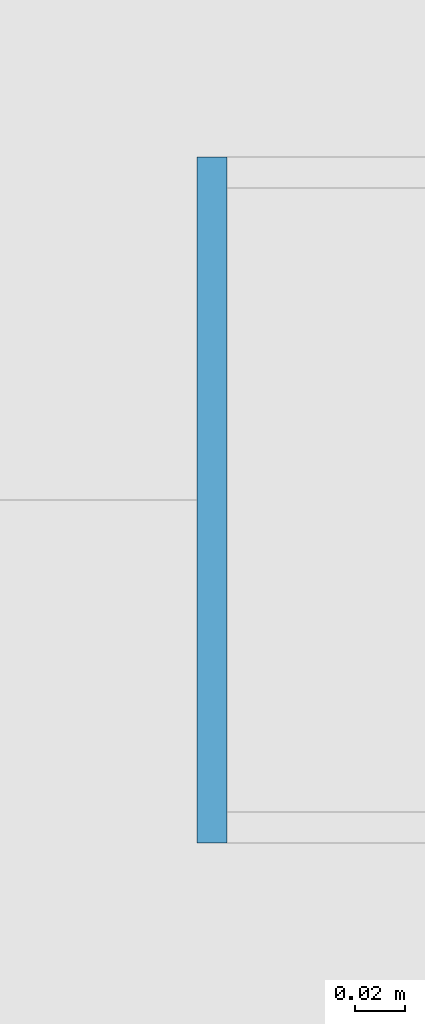
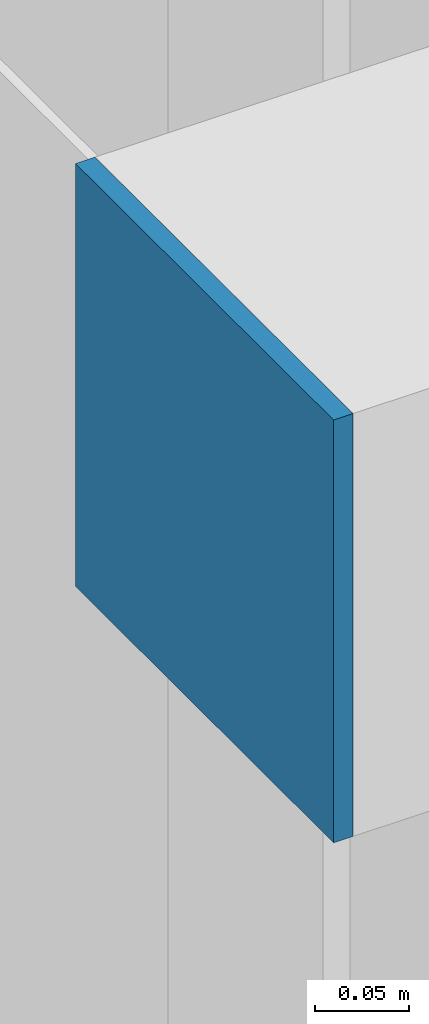
# One storey, part 46 of 59: 1 plate.
"""IFC4 building model written with IfcOpenShell, lengths in metres."""

from ifc_helpers import new_model, si_unit, direction, frame, origin, origin_2d, place, context, subcontext, project, spatial, rectangle, extrude, source, transform, mapped, material, layer, layer_set, type_object, element, save


model = new_model("IFC4")

# Units and contexts
model_context = context("Model", 3, precision=1e-05, world=origin(), true_north=direction((0.0, 1.0)))
body_context = subcontext(model_context, "Body", "Model", "MODEL_VIEW")
ifc_project = project(units=[si_unit("LENGTHUNIT", "METRE"), si_unit("AREAUNIT", "SQUARE_METRE"), si_unit("VOLUMEUNIT", "CUBIC_METRE"), si_unit("PLANEANGLEUNIT", "RADIAN"), si_unit("MASSUNIT", "GRAM", prefix="KILO")], contexts=[model_context])

# Site, building, storey
site_placement = place(None, origin())
site = spatial("IfcSite", under=ifc_project, at=site_placement, CompositionType="ELEMENT")
building_placement = place(site_placement, origin())
building = spatial("IfcBuilding", under=site, at=building_placement, Name="Taldren Reach Tower", CompositionType="ELEMENT")
storey_placement = place(building_placement, frame((0.0, 0.0, 19.949951171875)))
storey = spatial("IfcBuildingStorey", under=building, at=storey_placement, Name="L05", CompositionType="ELEMENT", Elevation=19.949951171875)

# Plate
ifc_material = material(Name="Steel Gr 450 (C450L0)", Category="steel")
ifc_layer = layer(ifc_material, 0.011962890625)
ifc_layer_set = layer_set([ifc_layer], Name="Steel Gr 450 (C450L0)")
plate_type = type_object("IfcPlateType", Name="PL-CAP-275", PredefinedType="SHEET", material=ifc_layer_set)
shared_shape = source(origin(), body_context, "Body", "SweptSolid", [
    extrude(rectangle(XDim=0.011962890625, YDim=0.27490234375, at=origin_2d()), origin(), (0.0, 0.0, 1.0), 0.27490234375),
])
plate_placement = place(storey_placement, frame((4.093994140625, 20.0, 2.5126953125), z_axis=(0.0, 0.0, 1.0), x_axis=(1.0, 0.0, 0.0)))
element("IfcPlate", 1, at=plate_placement, inside=storey, type_object=plate_type, Name="Tie strut end cap plate B1-W2 L05", PredefinedType="SHEET", context=body_context, shape_type="MappedRepresentation", body=[
    mapped(shared_shape, transform((0.0, 0.0, 0.0), scale=1.0)),
])

save(model, "model.ifc")
